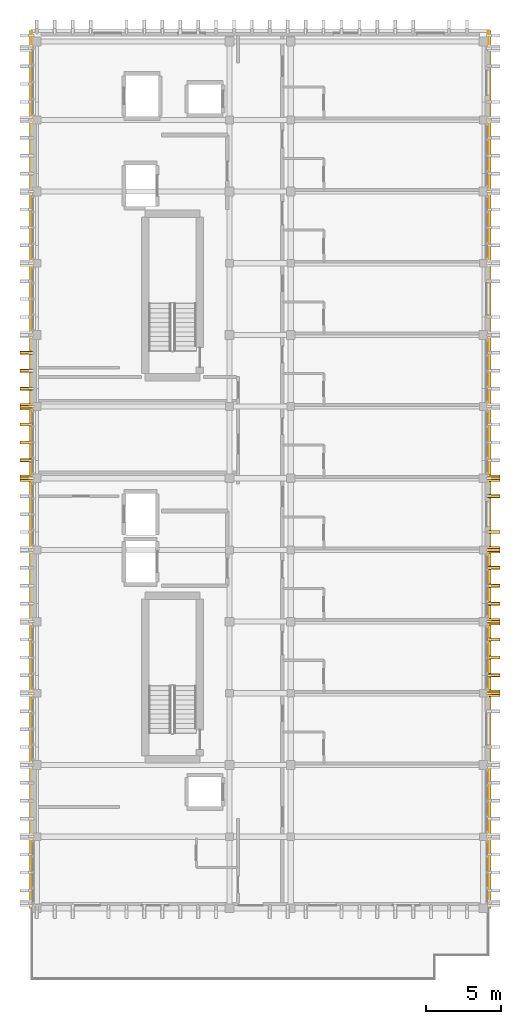
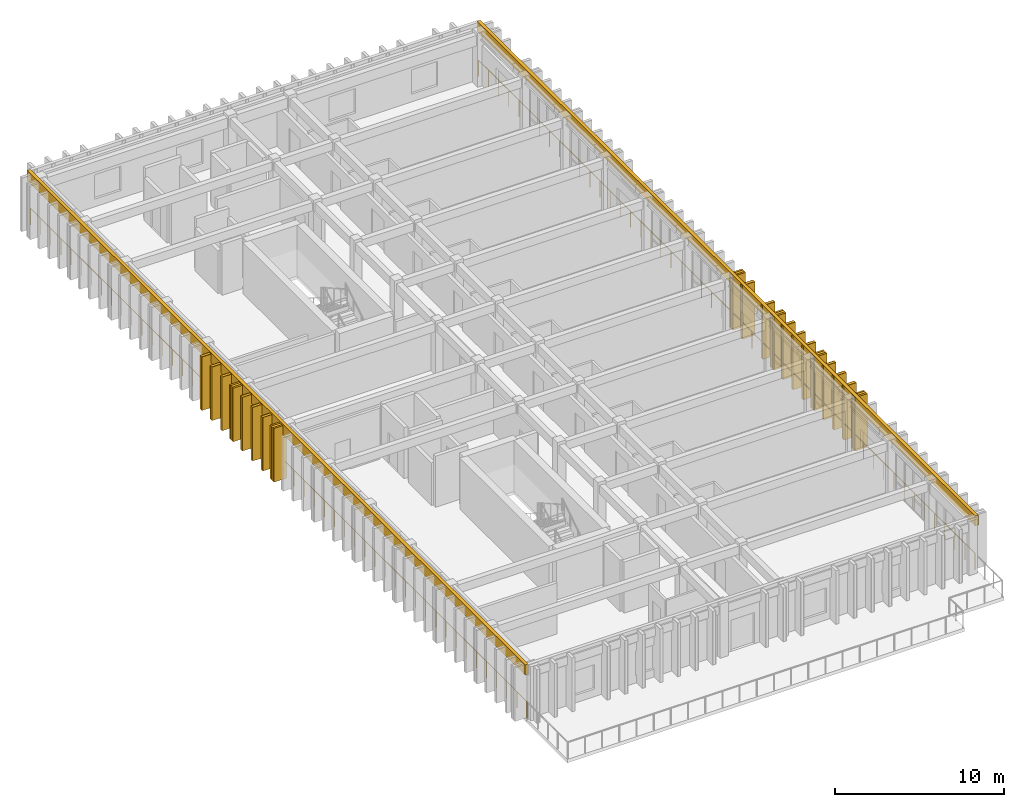
# One storey, part 47 of 49: 22 coverings, 20 shading devices, 2 railings.
"""IFC4 building model written with IfcOpenShell, lengths in metres."""

import ifcopenshell
import ifcopenshell.guid

model = None  # the IFC model being written
_history = None  # IfcOwnerHistory: only IFC2X3 demands one
_inside = {}  # id of a spatial element -> (the spatial element, [elements in it])
_under = {}  # id of a project, library or spatial element -> (it, [spatial elements below it])
_declared = {}  # id of a project -> (the project, [libraries it declares])
_typed = {}  # id of a type object -> (the type object, [elements of that type])
_made_of = {}  # id of a material, layer set ... -> (it, [elements and type objects made of it])


def new_model(schema):
    """Start an empty IFC model of exactly this schema.

    Asked for "IFC4X3", IfcOpenShell would pick the latest addendum, in which some entities
    have other attributes; the version numbers below select the first issue.
    IFC2X3 requires an IfcOwnerHistory on every rooted entity: one is made here for all.
    """
    global model, _history
    if schema == "IFC4X3":
        model = ifcopenshell.file(schema_version=(4, 3, 0, 0))
    else:
        model = ifcopenshell.file(schema=schema)
    _inside.clear()
    _under.clear()
    _declared.clear()
    _typed.clear()
    _made_of.clear()
    _history = None
    if model.schema == "IFC2X3":
        org = make("IfcOrganization", Name="unknown")
        user = make(
            "IfcPersonAndOrganization",
            ThePerson=make("IfcPerson", FamilyName="unknown"),
            TheOrganization=org,
        )
        app = make(
            "IfcApplication",
            ApplicationDeveloper=org,
            Version="unknown",
            ApplicationFullName="unknown",
            ApplicationIdentifier="unknown",
        )
        _history = make(
            "IfcOwnerHistory",
            OwningUser=user,
            OwningApplication=app,
            ChangeAction="ADDED",
            CreationDate=0,
        )
    return model


def make(cls, **values):
    """One entity of the class cls with the attributes given. An attribute that is None is left unset."""
    return model.create_entity(
        cls, **{name: value for name, value in values.items() if value is not None}
    )


def rooted(cls, **values):
    """An entity with a GlobalId (a new one), such as an element, a storey or a relation."""
    return make(cls, GlobalId=ifcopenshell.guid.new(), OwnerHistory=_history, **values)


def si_unit(unit_type, name, prefix=None):
    """IfcSIUnit, for example si_unit("LENGTHUNIT", "METRE", prefix="MILLI")."""
    return make("IfcSIUnit", UnitType=unit_type, Prefix=prefix, Name=name)


def assignment(units):
    """IfcUnitAssignment: the units of a project."""
    return None if units is None else make("IfcUnitAssignment", Units=units)


def point(xyz):
    """IfcCartesianPoint."""
    return None if xyz is None else make("IfcCartesianPoint", Coordinates=xyz)


def direction(xyz):
    """IfcDirection."""
    return None if xyz is None else make("IfcDirection", DirectionRatios=xyz)


def frame(location, z_axis=None, x_axis=None):
    """IfcAxis2Placement3D, a coordinate frame: its origin and axes. An axis left out is left unset."""
    return make(
        "IfcAxis2Placement3D",
        Location=point(location),
        Axis=direction(z_axis),
        RefDirection=direction(x_axis),
    )


def frame_2d(location, x_axis=None):
    """IfcAxis2Placement2D, a coordinate frame in the plane: its origin and x axis."""
    return make(
        "IfcAxis2Placement2D", Location=point(location), RefDirection=direction(x_axis)
    )


def origin():
    """The frame at (0, 0, 0) with its axes left unset."""
    return frame((0.0, 0.0, 0.0))


def origin_2d():
    """The frame at (0, 0) in the plane with its x axis left unset."""
    return frame_2d((0.0, 0.0))


def place(relative_to, where):
    """IfcLocalPlacement: puts the frame where relative to a parent placement (None: the world)."""
    return make(
        "IfcLocalPlacement", PlacementRelTo=relative_to, RelativePlacement=where
    )


def context(
    kind, dimensions, precision=None, world=None, true_north=None, identifier=None
):
    """IfcGeometricRepresentationContext, for example the 3D "Model" context."""
    return make(
        "IfcGeometricRepresentationContext",
        ContextIdentifier=identifier,
        ContextType=kind,
        CoordinateSpaceDimension=dimensions,
        Precision=precision,
        WorldCoordinateSystem=world,
        TrueNorth=true_north,
    )


def subcontext(parent, identifier, kind, view, scale=None):
    """IfcGeometricRepresentationSubContext, for example "Body" below "Model"."""
    return make(
        "IfcGeometricRepresentationSubContext",
        ContextIdentifier=identifier,
        ContextType=kind,
        ParentContext=parent,
        TargetScale=scale,
        TargetView=view,
    )


def project(units=None, contexts=None):
    """IfcProject with its units and contexts."""
    return rooted(
        "IfcProject",
        Name="project",
        RepresentationContexts=contexts,
        UnitsInContext=assignment(units),
    )


def spatial(cls, under=None, at=None, **own):
    """A site, building, storey or space (cls), placed at a placement, below another one or the project."""
    s = rooted(cls, ObjectPlacement=at, **own)
    if under is not None:
        _under.setdefault(under.id(), (under, []))[1].append(s)
    return s


def profile(cls, at=None, kind="AREA", **sizes):
    """A parametric profile (cls). Its sizes go by their IFC names, for example OverallWidth=200.0."""
    return make(cls, ProfileType=kind, Position=at, **sizes)


def rectangle(**sizes):
    """IfcRectangleProfileDef."""
    return profile("IfcRectangleProfileDef", **sizes)


def circle(**sizes):
    """IfcCircleProfileDef."""
    return profile("IfcCircleProfileDef", **sizes)


def extrude(swept, where, along, depth):
    """IfcExtrudedAreaSolid: the profile swept, set in the frame where, extruded along a direction by depth."""
    return make(
        "IfcExtrudedAreaSolid",
        SweptArea=swept,
        Position=where,
        ExtrudedDirection=direction(along),
        Depth=depth,
    )


def shape(context_of_items, identifier, shape_type, items):
    """IfcShapeRepresentation: the items that make up one representation, for example the "Body"."""
    return make(
        "IfcShapeRepresentation",
        ContextOfItems=context_of_items,
        RepresentationIdentifier=identifier,
        RepresentationType=shape_type,
        Items=items,
    )


def material(Name=None, Category=None):
    """IfcMaterial."""
    return make("IfcMaterial", Name=Name, Category=Category)


def layer(
    of_material, thickness, ventilated=None, Name=None, Category=None, Priority=None
):
    """IfcMaterialLayer: one layer of a wall or slab, of a material (None: an air gap)."""
    return make(
        "IfcMaterialLayer",
        Material=of_material,
        LayerThickness=thickness,
        IsVentilated=ventilated,
        Name=Name,
        Category=Category,
        Priority=Priority,
    )


def layer_set(layers, Name=None):
    """IfcMaterialLayerSet."""
    return make("IfcMaterialLayerSet", MaterialLayers=layers, LayerSetName=Name)


def made_of(thing, what):
    """Note that an element or type object is made of a material, layer set ...; save() writes the relation."""
    if what is not None:
        _made_of.setdefault(what.id(), (what, []))[1].append(thing)
    return thing


def type_object(cls, material=None, **own):
    """A type object (cls), such as IfcWallType, which elements share."""
    return made_of(rooted(cls, **own), material)


def element(
    cls,
    number,
    at=None,
    inside=None,
    cuts=None,
    type_object=None,
    material=None,
    context=None,
    identifier="Body",
    shape_type=None,
    held_by="IfcProductDefinitionShape",
    body=None,
    shapes=None,
    **own,
):
    """One element of the class cls, such as IfcWall. Its Tag is "e" and its number.

    at: its placement. inside: the storey or other place that contains it. cuts: it is an
    opening in that element (IfcRelVoidsElement). A single representation is given by context,
    identifier, shape_type and body (its items); several are given by shapes. held_by: the class
    of the entity that holds the representations. save() writes the other relations.
    """
    e = rooted(cls, Tag="e%d" % number, ObjectPlacement=at, **own)
    if body is not None:
        shapes = [shape(context, identifier, shape_type, body)]
    if shapes is not None:
        e.Representation = make(held_by, Representations=shapes)
    if inside is not None:
        _inside.setdefault(inside.id(), (inside, []))[1].append(e)
    if cuts is not None:
        rooted(
            "IfcRelVoidsElement", RelatingBuildingElement=cuts, RelatedOpeningElement=e
        )
    if type_object is not None:
        _typed.setdefault(type_object.id(), (type_object, []))[1].append(e)
    return made_of(e, material)


def aggregate(whole, parts):
    """IfcRelAggregates: a whole, such as a stair, and the parts it consists of."""
    return rooted("IfcRelAggregates", RelatingObject=whole, RelatedObjects=parts)


def save(model, path):
    """Write the relations noted so far, then the file.

    IfcRelAggregates (storeys below a building ...), IfcRelContainedInSpatialStructure (elements
    in a storey), IfcRelDefinesByType, IfcRelAssociatesMaterial and IfcRelDeclares: one each for
    every whole, place, type object, material and project.
    """
    for whole, parts in _under.values():
        aggregate(whole, parts)
    for where, things in _inside.values():
        rooted(
            "IfcRelContainedInSpatialStructure",
            RelatedElements=things,
            RelatingStructure=where,
        )
    for kind, things in _typed.values():
        rooted("IfcRelDefinesByType", RelatedObjects=things, RelatingType=kind)
    for what, things in _made_of.values():
        rooted("IfcRelAssociatesMaterial", RelatedObjects=things, RelatingMaterial=what)
    for by, libraries in _declared.values():
        rooted("IfcRelDeclares", RelatingContext=by, RelatedDefinitions=libraries)
    model.write(path)


model = new_model("IFC4")

# Units and contexts
model_context = context("Model", 3, precision=1e-05, world=origin(), true_north=direction((0.0, 1.0)))
body_context = subcontext(model_context, "Body", "Model", "MODEL_VIEW")
ifc_project = project(units=[si_unit("LENGTHUNIT", "METRE"), si_unit("AREAUNIT", "SQUARE_METRE"), si_unit("VOLUMEUNIT", "CUBIC_METRE"), si_unit("PLANEANGLEUNIT", "RADIAN"), si_unit("MASSUNIT", "GRAM", prefix="KILO")], contexts=[model_context])

# Site, building, storey
site_placement = place(None, origin())
site = spatial("IfcSite", under=ifc_project, at=site_placement, CompositionType="ELEMENT")
building_placement = place(site_placement, origin())
building = spatial("IfcBuilding", under=site, at=building_placement, Name="Nakhvara Creek Congress Hotel", CompositionType="ELEMENT")
storey_placement = place(building_placement, frame((0.0, 0.0, 46.5)))
storey = spatial("IfcBuildingStorey", under=building, at=storey_placement, Name="L11", CompositionType="ELEMENT", Elevation=46.5)

# Coverings
ifc_material_1 = material(Name="Honed pale Omani limestone architectural cladding", Category="masonry")
ifc_layer_1 = layer(ifc_material_1, 0.219970703125)
ifc_layer_set_1 = layer_set([ifc_layer_1], Name="Honed pale Omani limestone architectural cladding")
covering_type_1 = type_object("IfcCoveringType", Name="COV-FIN-850", PredefinedType="CLADDING", material=ifc_layer_set_1)
covering_1_placement = place(storey_placement, frame((180.054931640625, 81.60009765625, 0.0), z_axis=(0.0, 0.0, 1.0), x_axis=(0.0, 1.0, 0.0)))
element("IfcCovering", 1, at=covering_1_placement, inside=storey, type_object=covering_type_1, Name="Pale Limestone Fin Cladding CF01-2462", PredefinedType="CLADDING", context=body_context, shape_type="SweptSolid", body=[
    extrude(rectangle(XDim=0.43994140625, YDim=0.85009765625, at=origin_2d()), origin(), (0.0, 0.0, 1.0), 3.860107421875),
])
for number, where, z_axis, x_axis, name in (
    (2, (180.054931640625, 82.800048828125, 0.0), (0.0, 0.0, 1.0), (0.0, 1.0, 0.0), "Pale Limestone Fin Cladding CF01-2464"),
    (3, (180.054931640625, 84.0, 0.0), (0.0, 0.0, 1.0), (0.0, 1.0, 0.0), "Pale Limestone Fin Cladding CF01-2466"),
    (4, (180.054931640625, 85.199951171875, 0.0), (0.0, 0.0, 1.0), (0.0, 1.0, 0.0), "Pale Limestone Fin Cladding CF01-2468"),
):
    element("IfcCovering", number, at=place(storey_placement, frame(where, z_axis=z_axis, x_axis=x_axis)), inside=storey, type_object=covering_type_1, Name=name, PredefinedType="CLADDING", context=body_context, shape_type="SweptSolid", body=[
        extrude(rectangle(XDim=0.219970703125, YDim=0.85009765625, at=origin_2d()), origin(), (0.0, 0.0, 1.0), 3.860107421875),
    ])
covering_2_placement = place(storey_placement, frame((180.054931640625, 86.39990234375, 0.0), z_axis=(0.0, 0.0, 1.0), x_axis=(0.0, 1.0, 0.0)))
element("IfcCovering", 5, at=covering_2_placement, inside=storey, type_object=covering_type_1, Name="Pale Limestone Fin Cladding CF01-2470", PredefinedType="CLADDING", context=body_context, shape_type="SweptSolid", body=[
    extrude(rectangle(XDim=0.43994140625, YDim=0.85009765625, at=origin_2d()), origin(), (0.0, 0.0, 1.0), 3.860107421875),
])
for number, where, z_axis, x_axis, name in (
    (6, (180.054931640625, 87.60009765625, 0.0), (0.0, 0.0, 1.0), (0.0, 1.0, 0.0), "Pale Limestone Fin Cladding CF01-2472"),
    (7, (180.054931640625, 88.800048828125, 0.0), (0.0, 0.0, 1.0), (0.0, 1.0, 0.0), "Pale Limestone Fin Cladding CF01-2474"),
    (8, (180.054931640625, 90.0, 0.0), (0.0, 0.0, 1.0), (0.0, 1.0, 0.0), "Pale Limestone Fin Cladding CF01-2476"),
):
    element("IfcCovering", number, at=place(storey_placement, frame(where, z_axis=z_axis, x_axis=x_axis)), inside=storey, type_object=covering_type_1, Name=name, PredefinedType="CLADDING", context=body_context, shape_type="SweptSolid", body=[
        extrude(rectangle(XDim=0.219970703125, YDim=0.85009765625, at=origin_2d()), origin(), (0.0, 0.0, 1.0), 3.860107421875),
    ])
covering_3_placement = place(storey_placement, frame((180.054931640625, 91.199951171875, 0.0), z_axis=(0.0, 0.0, 1.0), x_axis=(0.0, 1.0, 0.0)))
element("IfcCovering", 9, at=covering_3_placement, inside=storey, type_object=covering_type_1, Name="Pale Limestone Fin Cladding CF01-2478", PredefinedType="CLADDING", context=body_context, shape_type="SweptSolid", body=[
    extrude(rectangle(XDim=0.43994140625, YDim=0.85009765625, at=origin_2d()), origin(), (0.0, 0.0, 1.0), 3.860107421875),
])
for number, where, z_axis, x_axis, name in (
    (10, (180.054931640625, 92.39990234375, 0.0), (0.0, 0.0, 1.0), (0.0, 1.0, 0.0), "Pale Limestone Fin Cladding CF01-2480"),
    (11, (180.054931640625, 94.800048828125, 0.0), (0.0, 0.0, 1.0), (0.0, 1.0, 0.0), "Pale Limestone Fin Cladding CF01-2483"),
):
    element("IfcCovering", number, at=place(storey_placement, frame(where, z_axis=z_axis, x_axis=x_axis)), inside=storey, type_object=covering_type_1, Name=name, PredefinedType="CLADDING", context=body_context, shape_type="SweptSolid", body=[
        extrude(rectangle(XDim=0.219970703125, YDim=0.85009765625, at=origin_2d()), origin(), (0.0, 0.0, 1.0), 3.860107421875),
    ])
for number, where, z_axis, x_axis, name in (
    (12, (180.054931640625, 96.0, 0.0), (0.0, 0.0, 1.0), (0.0, 1.0, 0.0), "Pale Limestone Fin Cladding CF01-2485"),
    (13, (148.7451171875, 96.0, 0.0), (0.0, 0.0, 1.0), (0.0, 1.0, 0.0), "Pale Limestone Fin Cladding CF01-2486"),
):
    element("IfcCovering", number, at=place(storey_placement, frame(where, z_axis=z_axis, x_axis=x_axis)), inside=storey, type_object=covering_type_1, Name=name, PredefinedType="CLADDING", context=body_context, shape_type="SweptSolid", body=[
        extrude(rectangle(XDim=0.43994140625, YDim=0.85009765625, at=origin_2d()), origin(), (0.0, 0.0, 1.0), 3.860107421875),
    ])
for number, where, z_axis, x_axis, name in (
    (14, (148.7451171875, 97.199951171875, 0.0), (0.0, 0.0, 1.0), (0.0, 1.0, 0.0), "Pale Limestone Fin Cladding CF01-2488"),
    (15, (148.7451171875, 98.39990234375, 0.0), (0.0, 0.0, 1.0), (0.0, 1.0, 0.0), "Pale Limestone Fin Cladding CF01-2490"),
    (16, (148.7451171875, 99.60009765625, 0.0), (0.0, 0.0, 1.0), (0.0, 1.0, 0.0), "Pale Limestone Fin Cladding CF01-2492"),
):
    element("IfcCovering", number, at=place(storey_placement, frame(where, z_axis=z_axis, x_axis=x_axis)), inside=storey, type_object=covering_type_1, Name=name, PredefinedType="CLADDING", context=body_context, shape_type="SweptSolid", body=[
        extrude(rectangle(XDim=0.219970703125, YDim=0.85009765625, at=origin_2d()), origin(), (0.0, 0.0, 1.0), 3.860107421875),
    ])
covering_4_placement = place(storey_placement, frame((148.7451171875, 100.800048828125, 0.0), z_axis=(0.0, 0.0, 1.0), x_axis=(0.0, 1.0, 0.0)))
element("IfcCovering", 17, at=covering_4_placement, inside=storey, type_object=covering_type_1, Name="Pale Limestone Fin Cladding CF01-2494", PredefinedType="CLADDING", context=body_context, shape_type="SweptSolid", body=[
    extrude(rectangle(XDim=0.43994140625, YDim=0.85009765625, at=origin_2d()), origin(), (0.0, 0.0, 1.0), 3.860107421875),
])
for number, where, z_axis, x_axis, name in (
    (18, (148.7451171875, 102.0, 0.0), (0.0, 0.0, 1.0), (0.0, 1.0, 0.0), "Pale Limestone Fin Cladding CF01-2496"),
    (19, (148.7451171875, 103.199951171875, 0.0), (0.0, 0.0, 1.0), (0.0, 1.0, 0.0), "Pale Limestone Fin Cladding CF01-2498"),
    (20, (148.7451171875, 104.39990234375, 0.0), (0.0, 0.0, 1.0), (0.0, 1.0, 0.0), "Pale Limestone Fin Cladding CF01-2500"),
):
    element("IfcCovering", number, at=place(storey_placement, frame(where, z_axis=z_axis, x_axis=x_axis)), inside=storey, type_object=covering_type_1, Name=name, PredefinedType="CLADDING", context=body_context, shape_type="SweptSolid", body=[
        extrude(rectangle(XDim=0.219970703125, YDim=0.85009765625, at=origin_2d()), origin(), (0.0, 0.0, 1.0), 3.860107421875),
    ])
ifc_layer_2 = layer(ifc_material_1, 0.179931640625)
ifc_layer_set_2 = layer_set([ifc_layer_2], Name="Honed pale Omani limestone architectural cladding")
covering_type_2 = type_object("IfcCoveringType", Name="COV-SPN-180", PredefinedType="CLADDING", material=ifc_layer_set_2)
for number, where, z_axis, x_axis, name in (
    (21, (179.739990234375, 96.60009765625, 3.2099609375), (0.0, 0.0, 1.0), (0.0, 1.0, 0.0), "Pale Limestone Spandrel Band CF02-0085"),
    (22, (149.06005859375, 96.60009765625, 3.2099609375), (0.0, 0.0, 1.0), (0.0, 1.0, 0.0), "Pale Limestone Spandrel Band CF02-0086"),
):
    element("IfcCovering", number, at=place(storey_placement, frame(where, z_axis=z_axis, x_axis=x_axis)), inside=storey, type_object=covering_type_2, Name=name, PredefinedType="CLADDING", context=body_context, shape_type="SweptSolid", body=[
        extrude(rectangle(XDim=58.800048828125, YDim=0.219970703125, at=origin_2d()), origin(), (0.0, 0.0, 1.0), 0.72998046875),
    ])

# Railings
ifc_material_2 = material(Name="Brushed stainless steel 316L", Category="steel")
railing_type = type_object("IfcRailingType", Name="RL-GUARD-1200", PredefinedType="GUARDRAIL", material=ifc_material_2)
railing_1_placement = place(storey_placement, frame((179.669921875, 67.280029296875, 0.0)))
element("IfcRailing", 23, at=railing_1_placement, inside=storey, type_object=railing_type, Name="Perimeter Safety Rail East L11", PredefinedType="GUARDRAIL", context=body_context, shape_type="SweptSolid", body=[
    extrude(circle(Radius=0.02392578125, at=origin_2d()), frame((0.0, 0.0146484375, 1.17578125), z_axis=(0.0, 1.0, 0.0), x_axis=(-1.0, 0.0, 0.0)), (0.0, 0.0, 1.0), 58.610595703125),
    extrude(circle(Radius=0.02099609375, at=origin_2d()), origin(), (0.0, 0.0, 1.0), 1.1806640625),
    extrude(circle(Radius=0.02099609375, at=origin_2d()), frame((0.0, 1.19677734375, 0.0)), (0.0, 0.0, 1.0), 1.1806640625),
    extrude(circle(Radius=0.02099609375, at=origin_2d()), frame((0.0, 2.3935546875, 0.0)), (0.0, 0.0, 1.0), 1.1806640625),
    extrude(circle(Radius=0.02099609375, at=origin_2d()), frame((0.0, 3.590087890625, 0.0)), (0.0, 0.0, 1.0), 1.1806640625),
    extrude(circle(Radius=0.02099609375, at=origin_2d()), frame((0.0, 4.786865234375, 0.0)), (0.0, 0.0, 1.0), 1.1806640625),
    extrude(circle(Radius=0.02099609375, at=origin_2d()), frame((0.0, 5.983642578125, 0.0)), (0.0, 0.0, 1.0), 1.1806640625),
    extrude(circle(Radius=0.02099609375, at=origin_2d()), frame((0.0, 7.180419921875, 0.0)), (0.0, 0.0, 1.0), 1.1806640625),
    extrude(circle(Radius=0.02099609375, at=origin_2d()), frame((0.0, 8.377197265625, 0.0)), (0.0, 0.0, 1.0), 1.1806640625),
    extrude(circle(Radius=0.02099609375, at=origin_2d()), frame((0.0, 9.573974609375, 0.0)), (0.0, 0.0, 1.0), 1.1806640625),
    extrude(circle(Radius=0.02099609375, at=origin_2d()), frame((0.0, 10.7705078125, 0.0)), (0.0, 0.0, 1.0), 1.1806640625),
    extrude(circle(Radius=0.02099609375, at=origin_2d()), frame((0.0, 11.96728515625, 0.0)), (0.0, 0.0, 1.0), 1.1806640625),
    extrude(circle(Radius=0.02099609375, at=origin_2d()), frame((0.0, 13.1640625, 0.0)), (0.0, 0.0, 1.0), 1.1806640625),
    extrude(circle(Radius=0.02099609375, at=origin_2d()), frame((0.0, 14.36083984375, 0.0)), (0.0, 0.0, 1.0), 1.1806640625),
    extrude(circle(Radius=0.02099609375, at=origin_2d()), frame((0.0, 15.5576171875, 0.0)), (0.0, 0.0, 1.0), 1.1806640625),
    extrude(circle(Radius=0.02099609375, at=origin_2d()), frame((0.0, 16.754150390625, 0.0)), (0.0, 0.0, 1.0), 1.1806640625),
    extrude(circle(Radius=0.02099609375, at=origin_2d()), frame((0.0, 17.950927734375, 0.0)), (0.0, 0.0, 1.0), 1.1806640625),
    extrude(circle(Radius=0.02099609375, at=origin_2d()), frame((0.0, 19.147705078125, 0.0)), (0.0, 0.0, 1.0), 1.1806640625),
    extrude(circle(Radius=0.02099609375, at=origin_2d()), frame((0.0, 20.344482421875, 0.0)), (0.0, 0.0, 1.0), 1.1806640625),
    extrude(circle(Radius=0.02099609375, at=origin_2d()), frame((0.0, 21.541259765625, 0.0)), (0.0, 0.0, 1.0), 1.1806640625),
    extrude(circle(Radius=0.02099609375, at=origin_2d()), frame((0.0, 22.738037109375, 0.0)), (0.0, 0.0, 1.0), 1.1806640625),
    extrude(circle(Radius=0.02099609375, at=origin_2d()), frame((0.0, 23.9345703125, 0.0)), (0.0, 0.0, 1.0), 1.1806640625),
    extrude(circle(Radius=0.02099609375, at=origin_2d()), frame((0.0, 25.13134765625, 0.0)), (0.0, 0.0, 1.0), 1.1806640625),
    extrude(circle(Radius=0.02099609375, at=origin_2d()), frame((0.0, 26.328125, 0.0)), (0.0, 0.0, 1.0), 1.1806640625),
    extrude(circle(Radius=0.02099609375, at=origin_2d()), frame((0.0, 27.52490234375, 0.0)), (0.0, 0.0, 1.0), 1.1806640625),
    extrude(circle(Radius=0.02099609375, at=origin_2d()), frame((0.0, 28.7216796875, 0.0)), (0.0, 0.0, 1.0), 1.1806640625),
    extrude(circle(Radius=0.02099609375, at=origin_2d()), frame((0.0, 29.918212890625, 0.0)), (0.0, 0.0, 1.0), 1.1806640625),
    extrude(circle(Radius=0.02099609375, at=origin_2d()), frame((0.0, 31.114990234375, 0.0)), (0.0, 0.0, 1.0), 1.1806640625),
    extrude(circle(Radius=0.02099609375, at=origin_2d()), frame((0.0, 32.311767578125, 0.0)), (0.0, 0.0, 1.0), 1.1806640625),
    extrude(circle(Radius=0.02099609375, at=origin_2d()), frame((0.0, 33.508544921875, 0.0)), (0.0, 0.0, 1.0), 1.1806640625),
    extrude(circle(Radius=0.02099609375, at=origin_2d()), frame((0.0, 34.705322265625, 0.0)), (0.0, 0.0, 1.0), 1.1806640625),
    extrude(circle(Radius=0.02099609375, at=origin_2d()), frame((0.0, 35.90185546875, 0.0)), (0.0, 0.0, 1.0), 1.1806640625),
    extrude(circle(Radius=0.02099609375, at=origin_2d()), frame((0.0, 37.0986328125, 0.0)), (0.0, 0.0, 1.0), 1.1806640625),
    extrude(circle(Radius=0.02099609375, at=origin_2d()), frame((0.0, 38.29541015625, 0.0)), (0.0, 0.0, 1.0), 1.1806640625),
    extrude(circle(Radius=0.02099609375, at=origin_2d()), frame((0.0, 39.4921875, 0.0)), (0.0, 0.0, 1.0), 1.1806640625),
    extrude(circle(Radius=0.02099609375, at=origin_2d()), frame((0.0, 40.68896484375, 0.0)), (0.0, 0.0, 1.0), 1.1806640625),
    extrude(circle(Radius=0.02099609375, at=origin_2d()), frame((0.0, 41.8857421875, 0.0)), (0.0, 0.0, 1.0), 1.1806640625),
    extrude(circle(Radius=0.02099609375, at=origin_2d()), frame((0.0, 43.082275390625, 0.0)), (0.0, 0.0, 1.0), 1.1806640625),
    extrude(circle(Radius=0.02099609375, at=origin_2d()), frame((0.0, 44.279052734375, 0.0)), (0.0, 0.0, 1.0), 1.1806640625),
    extrude(circle(Radius=0.02099609375, at=origin_2d()), frame((0.0, 45.475830078125, 0.0)), (0.0, 0.0, 1.0), 1.1806640625),
    extrude(circle(Radius=0.02099609375, at=origin_2d()), frame((0.0, 46.672607421875, 0.0)), (0.0, 0.0, 1.0), 1.1806640625),
    extrude(circle(Radius=0.02099609375, at=origin_2d()), frame((0.0, 47.869384765625, 0.0)), (0.0, 0.0, 1.0), 1.1806640625),
    extrude(circle(Radius=0.02099609375, at=origin_2d()), frame((0.0, 49.06591796875, 0.0)), (0.0, 0.0, 1.0), 1.1806640625),
    extrude(circle(Radius=0.02099609375, at=origin_2d()), frame((0.0, 50.2626953125, 0.0)), (0.0, 0.0, 1.0), 1.1806640625),
    extrude(circle(Radius=0.02099609375, at=origin_2d()), frame((0.0, 51.45947265625, 0.0)), (0.0, 0.0, 1.0), 1.1806640625),
    extrude(circle(Radius=0.02099609375, at=origin_2d()), frame((0.0, 52.65625, 0.0)), (0.0, 0.0, 1.0), 1.1806640625),
    extrude(circle(Radius=0.02099609375, at=origin_2d()), frame((0.0, 53.85302734375, 0.0)), (0.0, 0.0, 1.0), 1.1806640625),
    extrude(circle(Radius=0.02099609375, at=origin_2d()), frame((0.0, 55.0498046875, 0.0)), (0.0, 0.0, 1.0), 1.1806640625),
    extrude(circle(Radius=0.02099609375, at=origin_2d()), frame((0.0, 56.246337890625, 0.0)), (0.0, 0.0, 1.0), 1.1806640625),
    extrude(circle(Radius=0.02099609375, at=origin_2d()), frame((0.0, 57.443115234375, 0.0)), (0.0, 0.0, 1.0), 1.1806640625),
    extrude(circle(Radius=0.02099609375, at=origin_2d()), frame((0.0, 58.639892578125, 0.0)), (0.0, 0.0, 1.0), 1.1806640625),
])
railing_2_placement = place(storey_placement, frame((149.1298828125, 67.280029296875, 0.0)))
element("IfcRailing", 24, at=railing_2_placement, inside=storey, type_object=railing_type, Name="Perimeter Safety Rail West L11", PredefinedType="GUARDRAIL", context=body_context, shape_type="SweptSolid", body=[
    extrude(circle(Radius=0.02392578125, at=origin_2d()), frame((0.0, 0.0146484375, 1.17578125), z_axis=(0.0, 1.0, 0.0), x_axis=(-1.0, 0.0, 0.0)), (0.0, 0.0, 1.0), 58.610595703125),
    extrude(circle(Radius=0.02099609375, at=origin_2d()), origin(), (0.0, 0.0, 1.0), 1.1806640625),
    extrude(circle(Radius=0.02099609375, at=origin_2d()), frame((0.0, 1.19677734375, 0.0)), (0.0, 0.0, 1.0), 1.1806640625),
    extrude(circle(Radius=0.02099609375, at=origin_2d()), frame((0.0, 2.3935546875, 0.0)), (0.0, 0.0, 1.0), 1.1806640625),
    extrude(circle(Radius=0.02099609375, at=origin_2d()), frame((0.0, 3.590087890625, 0.0)), (0.0, 0.0, 1.0), 1.1806640625),
    extrude(circle(Radius=0.02099609375, at=origin_2d()), frame((0.0, 4.786865234375, 0.0)), (0.0, 0.0, 1.0), 1.1806640625),
    extrude(circle(Radius=0.02099609375, at=origin_2d()), frame((0.0, 5.983642578125, 0.0)), (0.0, 0.0, 1.0), 1.1806640625),
    extrude(circle(Radius=0.02099609375, at=origin_2d()), frame((0.0, 7.180419921875, 0.0)), (0.0, 0.0, 1.0), 1.1806640625),
    extrude(circle(Radius=0.02099609375, at=origin_2d()), frame((0.0, 8.377197265625, 0.0)), (0.0, 0.0, 1.0), 1.1806640625),
    extrude(circle(Radius=0.02099609375, at=origin_2d()), frame((0.0, 9.573974609375, 0.0)), (0.0, 0.0, 1.0), 1.1806640625),
    extrude(circle(Radius=0.02099609375, at=origin_2d()), frame((0.0, 10.7705078125, 0.0)), (0.0, 0.0, 1.0), 1.1806640625),
    extrude(circle(Radius=0.02099609375, at=origin_2d()), frame((0.0, 11.96728515625, 0.0)), (0.0, 0.0, 1.0), 1.1806640625),
    extrude(circle(Radius=0.02099609375, at=origin_2d()), frame((0.0, 13.1640625, 0.0)), (0.0, 0.0, 1.0), 1.1806640625),
    extrude(circle(Radius=0.02099609375, at=origin_2d()), frame((0.0, 14.36083984375, 0.0)), (0.0, 0.0, 1.0), 1.1806640625),
    extrude(circle(Radius=0.02099609375, at=origin_2d()), frame((0.0, 15.5576171875, 0.0)), (0.0, 0.0, 1.0), 1.1806640625),
    extrude(circle(Radius=0.02099609375, at=origin_2d()), frame((0.0, 16.754150390625, 0.0)), (0.0, 0.0, 1.0), 1.1806640625),
    extrude(circle(Radius=0.02099609375, at=origin_2d()), frame((0.0, 17.950927734375, 0.0)), (0.0, 0.0, 1.0), 1.1806640625),
    extrude(circle(Radius=0.02099609375, at=origin_2d()), frame((0.0, 19.147705078125, 0.0)), (0.0, 0.0, 1.0), 1.1806640625),
    extrude(circle(Radius=0.02099609375, at=origin_2d()), frame((0.0, 20.344482421875, 0.0)), (0.0, 0.0, 1.0), 1.1806640625),
    extrude(circle(Radius=0.02099609375, at=origin_2d()), frame((0.0, 21.541259765625, 0.0)), (0.0, 0.0, 1.0), 1.1806640625),
    extrude(circle(Radius=0.02099609375, at=origin_2d()), frame((0.0, 22.738037109375, 0.0)), (0.0, 0.0, 1.0), 1.1806640625),
    extrude(circle(Radius=0.02099609375, at=origin_2d()), frame((0.0, 23.9345703125, 0.0)), (0.0, 0.0, 1.0), 1.1806640625),
    extrude(circle(Radius=0.02099609375, at=origin_2d()), frame((0.0, 25.13134765625, 0.0)), (0.0, 0.0, 1.0), 1.1806640625),
    extrude(circle(Radius=0.02099609375, at=origin_2d()), frame((0.0, 26.328125, 0.0)), (0.0, 0.0, 1.0), 1.1806640625),
    extrude(circle(Radius=0.02099609375, at=origin_2d()), frame((0.0, 27.52490234375, 0.0)), (0.0, 0.0, 1.0), 1.1806640625),
    extrude(circle(Radius=0.02099609375, at=origin_2d()), frame((0.0, 28.7216796875, 0.0)), (0.0, 0.0, 1.0), 1.1806640625),
    extrude(circle(Radius=0.02099609375, at=origin_2d()), frame((0.0, 29.918212890625, 0.0)), (0.0, 0.0, 1.0), 1.1806640625),
    extrude(circle(Radius=0.02099609375, at=origin_2d()), frame((0.0, 31.114990234375, 0.0)), (0.0, 0.0, 1.0), 1.1806640625),
    extrude(circle(Radius=0.02099609375, at=origin_2d()), frame((0.0, 32.311767578125, 0.0)), (0.0, 0.0, 1.0), 1.1806640625),
    extrude(circle(Radius=0.02099609375, at=origin_2d()), frame((0.0, 33.508544921875, 0.0)), (0.0, 0.0, 1.0), 1.1806640625),
    extrude(circle(Radius=0.02099609375, at=origin_2d()), frame((0.0, 34.705322265625, 0.0)), (0.0, 0.0, 1.0), 1.1806640625),
    extrude(circle(Radius=0.02099609375, at=origin_2d()), frame((0.0, 35.90185546875, 0.0)), (0.0, 0.0, 1.0), 1.1806640625),
    extrude(circle(Radius=0.02099609375, at=origin_2d()), frame((0.0, 37.0986328125, 0.0)), (0.0, 0.0, 1.0), 1.1806640625),
    extrude(circle(Radius=0.02099609375, at=origin_2d()), frame((0.0, 38.29541015625, 0.0)), (0.0, 0.0, 1.0), 1.1806640625),
    extrude(circle(Radius=0.02099609375, at=origin_2d()), frame((0.0, 39.4921875, 0.0)), (0.0, 0.0, 1.0), 1.1806640625),
    extrude(circle(Radius=0.02099609375, at=origin_2d()), frame((0.0, 40.68896484375, 0.0)), (0.0, 0.0, 1.0), 1.1806640625),
    extrude(circle(Radius=0.02099609375, at=origin_2d()), frame((0.0, 41.8857421875, 0.0)), (0.0, 0.0, 1.0), 1.1806640625),
    extrude(circle(Radius=0.02099609375, at=origin_2d()), frame((0.0, 43.082275390625, 0.0)), (0.0, 0.0, 1.0), 1.1806640625),
    extrude(circle(Radius=0.02099609375, at=origin_2d()), frame((0.0, 44.279052734375, 0.0)), (0.0, 0.0, 1.0), 1.1806640625),
    extrude(circle(Radius=0.02099609375, at=origin_2d()), frame((0.0, 45.475830078125, 0.0)), (0.0, 0.0, 1.0), 1.1806640625),
    extrude(circle(Radius=0.02099609375, at=origin_2d()), frame((0.0, 46.672607421875, 0.0)), (0.0, 0.0, 1.0), 1.1806640625),
    extrude(circle(Radius=0.02099609375, at=origin_2d()), frame((0.0, 47.869384765625, 0.0)), (0.0, 0.0, 1.0), 1.1806640625),
    extrude(circle(Radius=0.02099609375, at=origin_2d()), frame((0.0, 49.06591796875, 0.0)), (0.0, 0.0, 1.0), 1.1806640625),
    extrude(circle(Radius=0.02099609375, at=origin_2d()), frame((0.0, 50.2626953125, 0.0)), (0.0, 0.0, 1.0), 1.1806640625),
    extrude(circle(Radius=0.02099609375, at=origin_2d()), frame((0.0, 51.45947265625, 0.0)), (0.0, 0.0, 1.0), 1.1806640625),
    extrude(circle(Radius=0.02099609375, at=origin_2d()), frame((0.0, 52.65625, 0.0)), (0.0, 0.0, 1.0), 1.1806640625),
    extrude(circle(Radius=0.02099609375, at=origin_2d()), frame((0.0, 53.85302734375, 0.0)), (0.0, 0.0, 1.0), 1.1806640625),
    extrude(circle(Radius=0.02099609375, at=origin_2d()), frame((0.0, 55.0498046875, 0.0)), (0.0, 0.0, 1.0), 1.1806640625),
    extrude(circle(Radius=0.02099609375, at=origin_2d()), frame((0.0, 56.246337890625, 0.0)), (0.0, 0.0, 1.0), 1.1806640625),
    extrude(circle(Radius=0.02099609375, at=origin_2d()), frame((0.0, 57.443115234375, 0.0)), (0.0, 0.0, 1.0), 1.1806640625),
    extrude(circle(Radius=0.02099609375, at=origin_2d()), frame((0.0, 58.639892578125, 0.0)), (0.0, 0.0, 1.0), 1.1806640625),
])

# Shading devices
ifc_material_3 = material(Name="Honed pale Omani limestone cladding on stainless steel spine", Category="masonry")
shading_device_type = type_object("IfcShadingDeviceType", Name="SHD-FIN-850X3600", PredefinedType="USERDEFINED", material=ifc_material_3)
for number, where, z_axis, x_axis, name in (
    (25, (180.054931640625, 81.60009765625, 0.0), (0.0, 0.0, 1.0), (0.0, 1.0, 0.0), "Limestone Solar Fin FN01-2327"),
    (26, (180.054931640625, 82.800048828125, 0.0), (0.0, 0.0, 1.0), (0.0, 1.0, 0.0), "Limestone Solar Fin FN01-2329"),
    (27, (180.054931640625, 84.0, 0.0), (0.0, 0.0, 1.0), (0.0, 1.0, 0.0), "Limestone Solar Fin FN01-2331"),
    (28, (180.054931640625, 85.199951171875, 0.0), (0.0, 0.0, 1.0), (0.0, 1.0, 0.0), "Limestone Solar Fin FN01-2333"),
    (29, (180.054931640625, 86.39990234375, 0.0), (0.0, 0.0, 1.0), (0.0, 1.0, 0.0), "Limestone Solar Fin FN01-2335"),
    (30, (180.054931640625, 87.60009765625, 0.0), (0.0, 0.0, 1.0), (0.0, 1.0, 0.0), "Limestone Solar Fin FN01-2337"),
    (31, (180.054931640625, 88.800048828125, 0.0), (0.0, 0.0, 1.0), (0.0, 1.0, 0.0), "Limestone Solar Fin FN01-2339"),
    (32, (180.054931640625, 90.0, 0.0), (0.0, 0.0, 1.0), (0.0, 1.0, 0.0), "Limestone Solar Fin FN01-2341"),
    (33, (180.054931640625, 91.199951171875, 0.0), (0.0, 0.0, 1.0), (0.0, 1.0, 0.0), "Limestone Solar Fin FN01-2343"),
    (34, (180.054931640625, 92.39990234375, 0.0), (0.0, 0.0, 1.0), (0.0, 1.0, 0.0), "Limestone Solar Fin FN01-2345"),
    (35, (180.054931640625, 94.800048828125, 0.0), (0.0, 0.0, 1.0), (0.0, 1.0, 0.0), "Limestone Solar Fin FN01-2348"),
    (36, (180.054931640625, 96.0, 0.0), (0.0, 0.0, 1.0), (0.0, 1.0, 0.0), "Limestone Solar Fin FN01-2350"),
    (37, (148.7451171875, 96.0, 0.0), (0.0, 0.0, 1.0), (0.0, 1.0, 0.0), "Limestone Solar Fin FN01-2351"),
    (38, (148.7451171875, 97.199951171875, 0.0), (0.0, 0.0, 1.0), (0.0, 1.0, 0.0), "Limestone Solar Fin FN01-2353"),
    (39, (148.7451171875, 98.39990234375, 0.0), (0.0, 0.0, 1.0), (0.0, 1.0, 0.0), "Limestone Solar Fin FN01-2355"),
    (40, (148.7451171875, 99.60009765625, 0.0), (0.0, 0.0, 1.0), (0.0, 1.0, 0.0), "Limestone Solar Fin FN01-2357"),
    (41, (148.7451171875, 100.800048828125, 0.0), (0.0, 0.0, 1.0), (0.0, 1.0, 0.0), "Limestone Solar Fin FN01-2359"),
    (42, (148.7451171875, 102.0, 0.0), (0.0, 0.0, 1.0), (0.0, 1.0, 0.0), "Limestone Solar Fin FN01-2361"),
    (43, (148.7451171875, 103.199951171875, 0.0), (0.0, 0.0, 1.0), (0.0, 1.0, 0.0), "Limestone Solar Fin FN01-2363"),
    (44, (148.7451171875, 104.39990234375, 0.0), (0.0, 0.0, 1.0), (0.0, 1.0, 0.0), "Limestone Solar Fin FN01-2365"),
):
    element("IfcShadingDevice", number, at=place(storey_placement, frame(where, z_axis=z_axis, x_axis=x_axis)), inside=storey, type_object=shading_device_type, Name=name, ObjectType="FIN", PredefinedType="USERDEFINED", context=body_context, shape_type="SweptSolid", body=[
        extrude(rectangle(XDim=0.179931640625, YDim=0.85009765625, at=origin_2d()), origin(), (0.0, 0.0, 1.0), 3.860107421875),
    ])

save(model, "model.ifc")
